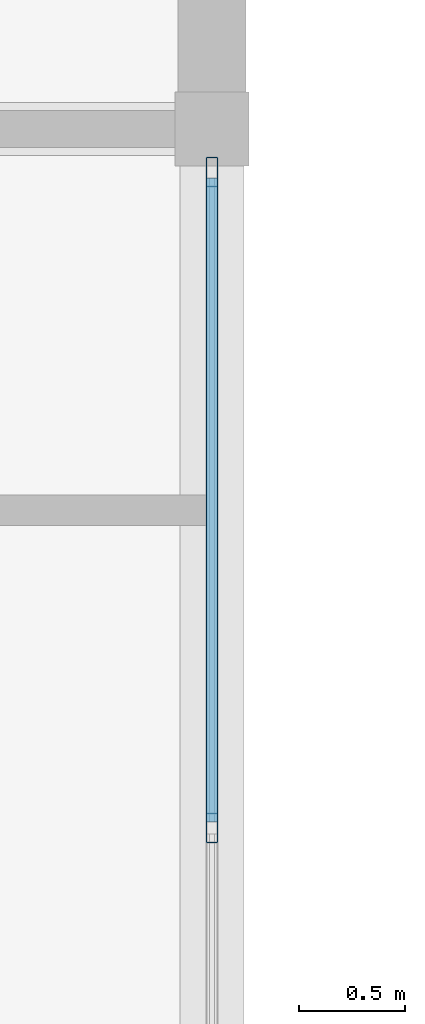
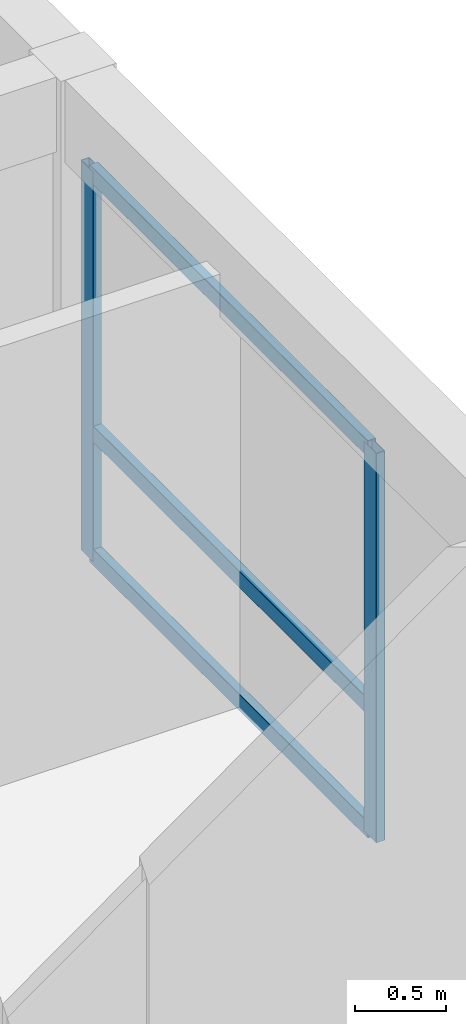
# One storey, part 10 of 53: 5 members, 1 element without a shape of its own.
"""IFC4 building model written with IfcOpenShell, lengths in metres."""

from ifc_helpers import new_model, si_unit, direction, frame, origin, origin_2d, place, context, subcontext, project, spatial, hollow_rectangle, extrude, material, material_profile, profile_set, type_object, element, aggregate, save


model = new_model("IFC4")

# Units and contexts
model_context = context("Model", 3, precision=1e-05, world=origin(), true_north=direction((0.0, 1.0)))
body_context = subcontext(model_context, "Body", "Model", "MODEL_VIEW")
ifc_project = project(units=[si_unit("LENGTHUNIT", "METRE"), si_unit("AREAUNIT", "SQUARE_METRE"), si_unit("VOLUMEUNIT", "CUBIC_METRE"), si_unit("PLANEANGLEUNIT", "RADIAN"), si_unit("MASSUNIT", "GRAM", prefix="KILO")], contexts=[model_context])

# Site, building, storey
site_placement = place(None, origin())
site = spatial("IfcSite", under=ifc_project, at=site_placement, CompositionType="ELEMENT")
building_placement = place(site_placement, origin())
building = spatial("IfcBuilding", under=site, at=building_placement, Name="Kernevlak Ridge Housing Community", CompositionType="ELEMENT")
storey_placement = place(building_placement, frame((0.0, 0.0, 24.39990234375)))
storey = spatial("IfcBuildingStorey", under=building, at=storey_placement, Name="L07", CompositionType="ELEMENT", Elevation=24.39990234375)

# Curtain wall, members
ifc_material_1 = material(Name="Aluminium EN AW-6060 anodised and laminated glass", Category="aluminium")
curtain_wall_type = type_object("IfcCurtainWallType", Name="CW-01", PredefinedType="NOTDEFINED", material=ifc_material_1)
curtain_wall_placement = place(storey_placement, origin())
curtain_wall = element("IfcCurtainWall", 1, at=curtain_wall_placement, inside=storey, type_object=curtain_wall_type, Name="Curtain wall CW-01 CW-L07-162", PredefinedType="NOTDEFINED")
ifc_material_2 = material(Name="Aluminium EN AW-6060 anodised", Category="aluminium")
ifc_material_profile_1 = material_profile(ifc_material_2, hollow_rectangle(XDim=0.054931640625, YDim=0.139892578125, WallThickness=0.00390625, InnerFilletRadius=0.001953125, OuterFilletRadius=0.00390625, at=origin_2d()), Name="ALU 55x140x4")
ifc_profile_set_1 = profile_set([ifc_material_profile_1], Name="Aluminium EN AW-6060 anodised")
member_type_1 = type_object("IfcMemberType", Name="MU-01", PredefinedType="MULLION", material=ifc_profile_set_1)
member_1_placement = place(storey_placement, frame((42.0, 25.5, 0.0), z_axis=(0.0, 0.0, 1.0), x_axis=(-1.0, 0.0, 0.0)))
member_1 = element("IfcMember", 2, at=member_1_placement, type_object=member_type_1, Name="CW-01 mullion 2", PredefinedType="MULLION", context=body_context, shape_type="SweptSolid", body=[
    extrude(hollow_rectangle(XDim=0.054931640625, YDim=0.139892578125, WallThickness=0.00390625, InnerFilletRadius=0.001953125, OuterFilletRadius=0.00390625, at=origin_2d()), origin(), (0.0, 0.0, 1.0), 2.60009765625),
])
member_2_placement = place(storey_placement, frame((42.0, 28.597412109375, 0.0), z_axis=(0.0, 0.0, 1.0), x_axis=(-1.0, 0.0, 0.0)))
member_2 = element("IfcMember", 3, at=member_2_placement, type_object=member_type_1, Name="CW-01 mullion 3", PredefinedType="MULLION", context=body_context, shape_type="SweptSolid", body=[
    extrude(hollow_rectangle(XDim=0.054931640625, YDim=0.139892578125, WallThickness=0.00390625, InnerFilletRadius=0.001953125, OuterFilletRadius=0.00390625, at=origin_2d()), origin(), (0.0, 0.0, 1.0), 2.60009765625),
])
ifc_material_profile_2 = material_profile(ifc_material_2, hollow_rectangle(XDim=0.054931640625, YDim=0.110107421875, WallThickness=0.00390625, InnerFilletRadius=0.001953125, OuterFilletRadius=0.00390625, at=origin_2d()), Name="ALU 55x110x4")
ifc_profile_set_2 = profile_set([ifc_material_profile_2], Name="Aluminium EN AW-6060 anodised")
member_type_2 = type_object("IfcMemberType", Name="TM-01", PredefinedType="USERDEFINED", material=ifc_profile_set_2)
member_3_placement = place(storey_placement, frame((42.0, 25.527587890625, 0.027587890625), z_axis=(0.0, 1.0, 0.0), x_axis=(-1.0, 0.0, 0.0)))
member_3 = element("IfcMember", 4, at=member_3_placement, type_object=member_type_2, Name="CW-01 transom 2.1", ObjectType="TRANSOM", PredefinedType="USERDEFINED", context=body_context, shape_type="SweptSolid", body=[
    extrude(hollow_rectangle(XDim=0.054931640625, YDim=0.110107421875, WallThickness=0.00390625, InnerFilletRadius=0.001953125, OuterFilletRadius=0.00390625, at=origin_2d()), origin(), (0.0, 0.0, 1.0), 3.04248046875),
])
member_4_placement = place(storey_placement, frame((42.0, 25.527587890625, 0.85009765625), z_axis=(0.0, 1.0, 0.0), x_axis=(-1.0, 0.0, 0.0)))
member_4 = element("IfcMember", 5, at=member_4_placement, type_object=member_type_2, Name="CW-01 transom 2.2", ObjectType="TRANSOM", PredefinedType="USERDEFINED", context=body_context, shape_type="SweptSolid", body=[
    extrude(hollow_rectangle(XDim=0.054931640625, YDim=0.110107421875, WallThickness=0.00390625, InnerFilletRadius=0.001953125, OuterFilletRadius=0.00390625, at=origin_2d()), origin(), (0.0, 0.0, 1.0), 3.04248046875),
])
member_5_placement = place(storey_placement, frame((42.0, 25.527587890625, 2.572509765625), z_axis=(0.0, 1.0, 0.0), x_axis=(-1.0, 0.0, 0.0)))
member_5 = element("IfcMember", 6, at=member_5_placement, type_object=member_type_2, Name="CW-01 transom 2.3", ObjectType="TRANSOM", PredefinedType="USERDEFINED", context=body_context, shape_type="SweptSolid", body=[
    extrude(hollow_rectangle(XDim=0.054931640625, YDim=0.110107421875, WallThickness=0.00390625, InnerFilletRadius=0.001953125, OuterFilletRadius=0.00390625, at=origin_2d()), origin(), (0.0, 0.0, 1.0), 3.04248046875),
])
aggregate(curtain_wall, [member_1, member_2, member_3, member_4, member_5])

save(model, "model.ifc")
